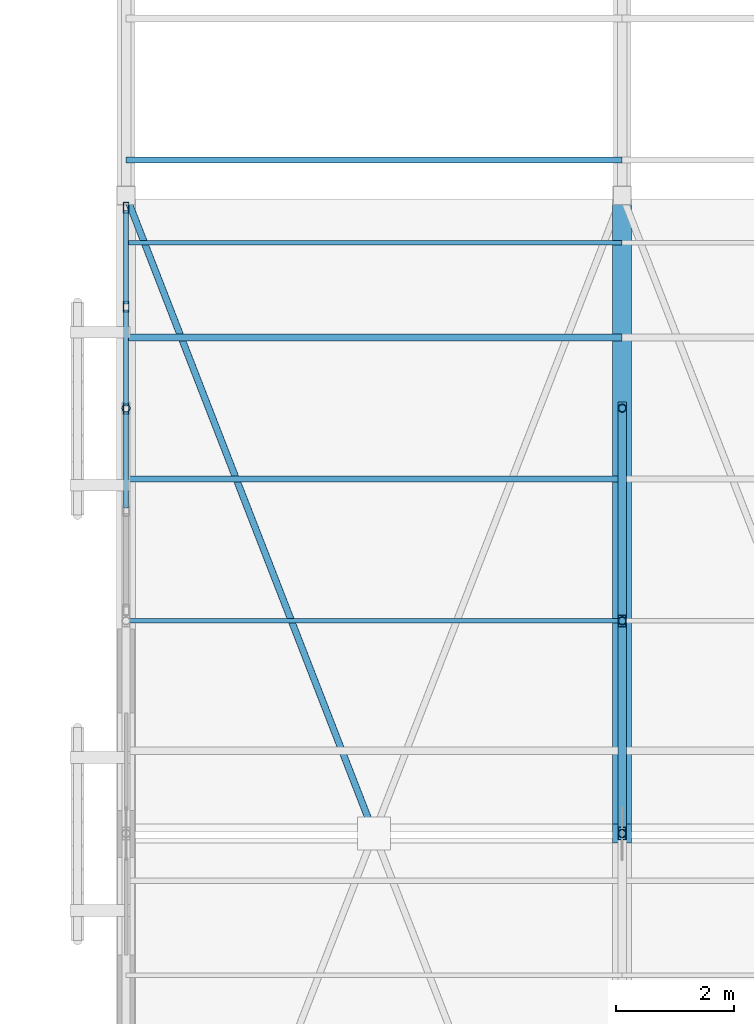
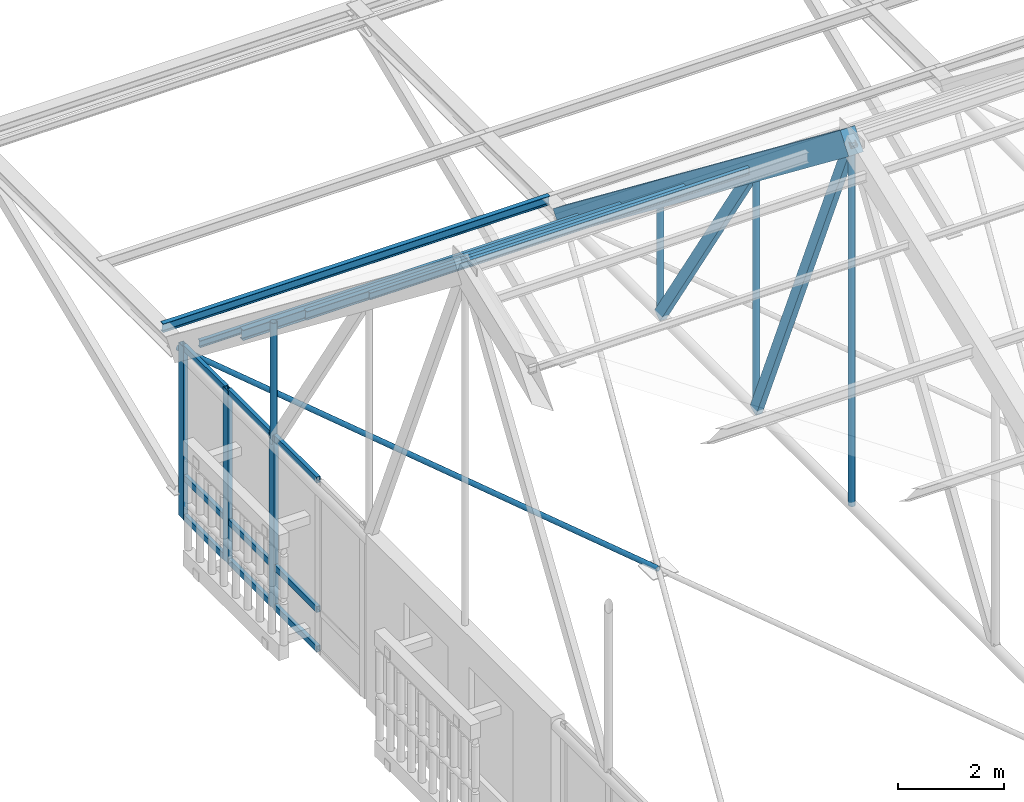
# One storey, part 79 of 217: 25 members, 1 element without a shape of its own.
"""IFC4 building model written with IfcOpenShell, lengths in metres."""

from ifc_helpers import new_model, si_unit, direction, frame, origin, origin_2d, place, context, subcontext, project, spatial, rectangle, hollow_rectangle, hollow_circle, i_section, extrude, material, layer, layer_set, material_profile, profile_set, type_object, element, aggregate, save


model = new_model("IFC4")

# Units and contexts
model_context = context("Model", 3, precision=1e-05, world=origin(), true_north=direction((0.0, 1.0)))
body_context = subcontext(model_context, "Body", "Model", "MODEL_VIEW")
ifc_project = project(units=[si_unit("LENGTHUNIT", "METRE"), si_unit("AREAUNIT", "SQUARE_METRE"), si_unit("VOLUMEUNIT", "CUBIC_METRE"), si_unit("PLANEANGLEUNIT", "RADIAN"), si_unit("MASSUNIT", "GRAM", prefix="KILO")], contexts=[model_context])

# Site, building, storey
site_placement = place(None, origin())
site = spatial("IfcSite", under=ifc_project, at=site_placement, CompositionType="ELEMENT")
building_placement = place(site_placement, origin())
building = spatial("IfcBuilding", under=site, at=building_placement, Name="Mazaris Harbour Polytechnic", CompositionType="ELEMENT")
storey_placement = place(building_placement, frame((0.0, 0.0, 9.60009765625)))
storey = spatial("IfcBuildingStorey", under=building, at=storey_placement, Name="L02", CompositionType="ELEMENT", Elevation=9.60009765625)

# Curtain wall, members
ifc_material_1 = material(Name="Anodised Bronze Aluminium and Low-E Glass", Category="aluminium")
ifc_layer = layer(ifc_material_1, 0.14990234375, Name="Anodised Bronze Aluminium and Low-E Glass")
ifc_layer_set = layer_set([ifc_layer], Name="Anodised Bronze Aluminium and Low-E Glass")
curtain_wall_type = type_object("IfcCurtainWallType", Name="Workshop Clerestory Curtain Wall", PredefinedType="NOTDEFINED", material=ifc_layer_set)
curtain_wall_placement = place(storey_placement, origin())
curtain_wall = element("IfcCurtainWall", 1, at=curtain_wall_placement, inside=storey, type_object=curtain_wall_type, Name="V1 L02 Curtain Wall 34", PredefinedType="NOTDEFINED")
ifc_material_2 = material(Name="Anodised Bronze Steel S355", Category="steel")
ifc_material_profile_1 = material_profile(ifc_material_2, hollow_rectangle(XDim=0.10009765625, YDim=0.179931640625, WallThickness=0.008056640625, at=origin_2d()), Name="RHS 100x180x8.0")
ifc_profile_set_1 = profile_set([ifc_material_profile_1], Name="Anodised Bronze Steel S355")
member_type_1 = type_object("IfcMemberType", Name="Curtain Mullion RHS100x180", PredefinedType="MULLION", material=ifc_profile_set_1)
member_1_placement = place(storey_placement, frame((54.0, 104.389892578125, 0.0), z_axis=(0.0, 0.0, 1.0), x_axis=(-1.0, 0.0, 0.0)))
member_1 = element("IfcMember", 2, at=member_1_placement, type_object=member_type_1, Name="CW-04 mullion 3", PredefinedType="MULLION", context=body_context, shape_type="SweptSolid", body=[
    extrude(hollow_rectangle(XDim=0.10009765625, YDim=0.179931640625, WallThickness=0.008056640625, at=origin_2d()), origin(), (0.0, 0.0, 1.0), 3.9599609375),
])
member_2_placement = place(storey_placement, frame((54.0, 106.116455078125, 0.0), z_axis=(0.0, 0.0, 1.0), x_axis=(-1.0, 0.0, 0.0)))
member_2 = element("IfcMember", 3, at=member_2_placement, type_object=member_type_1, Name="CW-04 mullion 4", PredefinedType="MULLION", context=body_context, shape_type="SweptSolid", body=[
    extrude(hollow_rectangle(XDim=0.10009765625, YDim=0.179931640625, WallThickness=0.008056640625, at=origin_2d()), origin(), (0.0, 0.0, 1.0), 3.9599609375),
])
member_3_placement = place(storey_placement, frame((54.0, 107.79296875, 0.0), z_axis=(0.0, 0.0, 1.0), x_axis=(-1.0, 0.0, 0.0)))
member_3 = element("IfcMember", 4, at=member_3_placement, type_object=member_type_1, Name="CW-04 mullion 5", PredefinedType="MULLION", context=body_context, shape_type="SweptSolid", body=[
    extrude(hollow_rectangle(XDim=0.10009765625, YDim=0.179931640625, WallThickness=0.008056640625, at=origin_2d()), origin(), (0.0, 0.0, 1.0), 3.9599609375),
])
ifc_material_3 = material(Name="Anodised Bronze Steel S355", Category="steel")
ifc_material_profile_2 = material_profile(ifc_material_3, hollow_rectangle(XDim=0.080078125, YDim=0.139892578125, WallThickness=0.00634765625, at=origin_2d()), Name="RHS 80x140x6.3")
ifc_profile_set_2 = profile_set([ifc_material_profile_2], Name="Anodised Bronze Steel S355")
member_type_2 = type_object("IfcMemberType", Name="Curtain Transom RHS80x140", PredefinedType="USERDEFINED", material=ifc_profile_set_2)
member_4_placement = place(storey_placement, frame((54.0, 102.71337890625, 0.039794921875), z_axis=(0.0, 1.0, 0.0), x_axis=(-1.0, 0.0, 0.0)))
member_4 = element("IfcMember", 5, at=member_4_placement, type_object=member_type_2, Name="CW-04 transom 2.1", ObjectType="TRANSOM", PredefinedType="USERDEFINED", context=body_context, shape_type="SweptSolid", body=[
    extrude(hollow_rectangle(XDim=0.080078125, YDim=0.139892578125, WallThickness=0.00634765625, at=origin_2d()), origin(), (0.0, 0.0, 1.0), 1.626708984375),
])
member_5_placement = place(storey_placement, frame((54.0, 102.71337890625, 0.949951171875), z_axis=(0.0, 1.0, 0.0), x_axis=(-1.0, 0.0, 0.0)))
member_5 = element("IfcMember", 6, at=member_5_placement, type_object=member_type_2, Name="CW-04 transom 2.2", ObjectType="TRANSOM", PredefinedType="USERDEFINED", context=body_context, shape_type="SweptSolid", body=[
    extrude(hollow_rectangle(XDim=0.080078125, YDim=0.139892578125, WallThickness=0.00634765625, at=origin_2d()), origin(), (0.0, 0.0, 1.0), 1.626708984375),
])
member_6_placement = place(storey_placement, frame((54.0, 102.71337890625, 3.919921875), z_axis=(0.0, 1.0, 0.0), x_axis=(-1.0, 0.0, 0.0)))
member_6 = element("IfcMember", 7, at=member_6_placement, type_object=member_type_2, Name="CW-04 transom 2.3", ObjectType="TRANSOM", PredefinedType="USERDEFINED", context=body_context, shape_type="SweptSolid", body=[
    extrude(hollow_rectangle(XDim=0.080078125, YDim=0.139892578125, WallThickness=0.00634765625, at=origin_2d()), origin(), (0.0, 0.0, 1.0), 1.626708984375),
])
member_7_placement = place(storey_placement, frame((54.0, 104.43994140625, 0.039794921875), z_axis=(0.0, 1.0, 0.0), x_axis=(-1.0, 0.0, 0.0)))
member_7 = element("IfcMember", 8, at=member_7_placement, type_object=member_type_2, Name="CW-04 transom 3.1", ObjectType="TRANSOM", PredefinedType="USERDEFINED", context=body_context, shape_type="SweptSolid", body=[
    extrude(hollow_rectangle(XDim=0.080078125, YDim=0.139892578125, WallThickness=0.00634765625, at=origin_2d()), origin(), (0.0, 0.0, 1.0), 1.62646484375),
])
member_8_placement = place(storey_placement, frame((54.0, 104.43994140625, 0.949951171875), z_axis=(0.0, 1.0, 0.0), x_axis=(-1.0, 0.0, 0.0)))
member_8 = element("IfcMember", 9, at=member_8_placement, type_object=member_type_2, Name="CW-04 transom 3.2", ObjectType="TRANSOM", PredefinedType="USERDEFINED", context=body_context, shape_type="SweptSolid", body=[
    extrude(hollow_rectangle(XDim=0.080078125, YDim=0.139892578125, WallThickness=0.00634765625, at=origin_2d()), origin(), (0.0, 0.0, 1.0), 1.62646484375),
])
member_9_placement = place(storey_placement, frame((54.0, 104.43994140625, 3.919921875), z_axis=(0.0, 1.0, 0.0), x_axis=(-1.0, 0.0, 0.0)))
member_9 = element("IfcMember", 10, at=member_9_placement, type_object=member_type_2, Name="CW-04 transom 3.3", ObjectType="TRANSOM", PredefinedType="USERDEFINED", context=body_context, shape_type="SweptSolid", body=[
    extrude(hollow_rectangle(XDim=0.080078125, YDim=0.139892578125, WallThickness=0.00634765625, at=origin_2d()), origin(), (0.0, 0.0, 1.0), 1.62646484375),
])
member_10_placement = place(storey_placement, frame((54.0, 106.16650390625, 0.039794921875), z_axis=(0.0, 1.0, 0.0), x_axis=(-1.0, 0.0, 0.0)))
member_10 = element("IfcMember", 11, at=member_10_placement, type_object=member_type_2, Name="CW-04 transom 4.1", ObjectType="TRANSOM", PredefinedType="USERDEFINED", context=body_context, shape_type="SweptSolid", body=[
    extrude(hollow_rectangle(XDim=0.080078125, YDim=0.139892578125, WallThickness=0.00634765625, at=origin_2d()), origin(), (0.0, 0.0, 1.0), 1.576416015625),
])
member_11_placement = place(storey_placement, frame((54.0, 106.16650390625, 0.949951171875), z_axis=(0.0, 1.0, 0.0), x_axis=(-1.0, 0.0, 0.0)))
member_11 = element("IfcMember", 12, at=member_11_placement, type_object=member_type_2, Name="CW-04 transom 4.2", ObjectType="TRANSOM", PredefinedType="USERDEFINED", context=body_context, shape_type="SweptSolid", body=[
    extrude(hollow_rectangle(XDim=0.080078125, YDim=0.139892578125, WallThickness=0.00634765625, at=origin_2d()), origin(), (0.0, 0.0, 1.0), 1.576416015625),
])
member_12_placement = place(storey_placement, frame((54.0, 106.16650390625, 3.919921875), z_axis=(0.0, 1.0, 0.0), x_axis=(-1.0, 0.0, 0.0)))
member_12 = element("IfcMember", 13, at=member_12_placement, type_object=member_type_2, Name="CW-04 transom 4.3", ObjectType="TRANSOM", PredefinedType="USERDEFINED", context=body_context, shape_type="SweptSolid", body=[
    extrude(hollow_rectangle(XDim=0.080078125, YDim=0.139892578125, WallThickness=0.00634765625, at=origin_2d()), origin(), (0.0, 0.0, 1.0), 1.576416015625),
])
aggregate(curtain_wall, [member_1, member_2, member_3, member_4, member_5, member_6, member_7, member_8, member_9, member_10, member_11, member_12])

# Members
ifc_material_4 = material(Name="Glulam GL32h", Category="wood")
ifc_material_profile_3 = material_profile(ifc_material_4, rectangle(XDim=0.320068359375, YDim=0.52001953125, at=origin_2d()), Name="RECT320x520")
ifc_profile_set_3 = profile_set([ifc_material_profile_3], Name="Glulam GL32h")
member_type_3 = type_object("IfcMemberType", Name="Glulam Top Chord 320x520", PredefinedType="CHORD", material=ifc_profile_set_3)
member_13_placement = place(storey_placement, frame((62.39990234375, 97.199951171875, 12.099853515625), z_axis=(0.0, 0.791130406401, -0.611647512926), x_axis=(-1.0, 0.0, 0.0)))
element("IfcMember", 14, at=member_13_placement, inside=storey, type_object=member_type_3, Name="Truss 2 North Glulam Top Chord", PredefinedType="CHORD", context=body_context, shape_type="SweptSolid", body=[
    extrude(rectangle(XDim=0.320068359375, YDim=0.52001953125, at=origin_2d()), origin(), (0.0, 0.0, 1.0), 13.6513671875),
])
ifc_material_5 = material(Name="Steel S355", Category="steel")
ifc_material_profile_4 = material_profile(ifc_material_5, i_section(OverallWidth=0.08203125, OverallDepth=0.159912109375, WebThickness=0.0048828125, FlangeThickness=0.00732421875, FilletRadius=0.009033203125, at=origin_2d()), Name="IPE 160")
ifc_profile_set_4 = profile_set([ifc_material_profile_4], Name="Steel S355")
member_type_4 = type_object("IfcMemberType", Name="Steel Purlin IPE160", PredefinedType="PURLIN", material=ifc_profile_set_4)
for number, where, z_axis, x_axis, name in (
    (15, (54.0, 100.800048828125, 9.308837890625), (1.0, 0.0, 0.0), (0.0, 1.0, 0.0), "V1 Roof Purlin N-15"),
    (16, (54.0, 107.199951171875, 4.3310546875), (1.0, 0.0, 0.0), (0.0, 1.0, 0.0), "V1 Roof Purlin N-18"),
):
    element("IfcMember", number, at=place(storey_placement, frame(where, z_axis=z_axis, x_axis=x_axis)), inside=storey, type_object=member_type_4, Name=name, PredefinedType="PURLIN", context=body_context, shape_type="SweptSolid", body=[
        extrude(i_section(OverallWidth=0.08203125, OverallDepth=0.159912109375, WebThickness=0.0048828125, FlangeThickness=0.00732421875, FilletRadius=0.009033203125, at=origin_2d()), origin(), (0.0, 0.0, 1.0), 8.39990234375),
    ])
ifc_material_6 = material(Name="Steel S355", Category="steel")
ifc_material_profile_5 = material_profile(ifc_material_6, i_section(OverallWidth=0.10009765625, OverallDepth=0.199951171875, WebThickness=0.005615234375, FlangeThickness=0.008544921875, FilletRadius=0.011962890625, at=origin_2d()), Name="IPE 200")
ifc_profile_set_5 = profile_set([ifc_material_profile_5], Name="Steel S355")
member_type_5 = type_object("IfcMemberType", Name="Steel Purlin IPE200", PredefinedType="PURLIN", material=ifc_profile_set_5)
member_14_placement = place(storey_placement, frame((54.0, 103.199951171875, 7.4130859375), z_axis=(1.0, 0.0, 0.0), x_axis=(0.0, 1.0, 0.0)))
element("IfcMember", 17, at=member_14_placement, inside=storey, type_object=member_type_5, Name="V1 Roof Purlin N-16", PredefinedType="PURLIN", context=body_context, shape_type="SweptSolid", body=[
    extrude(i_section(OverallWidth=0.10009765625, OverallDepth=0.199951171875, WebThickness=0.005615234375, FlangeThickness=0.008544921875, FilletRadius=0.011962890625, at=origin_2d()), origin(), (0.0, 0.0, 1.0), 8.39990234375),
])
ifc_material_7 = material(Name="Steel S355", Category="steel")
ifc_material_profile_6 = material_profile(ifc_material_7, i_section(OverallWidth=0.10009765625, OverallDepth=0.199951171875, WebThickness=0.005615234375, FlangeThickness=0.008544921875, FilletRadius=0.011962890625, at=origin_2d()), Name="IPE 200")
ifc_profile_set_6 = profile_set([ifc_material_profile_6], Name="Steel S355")
member_type_6 = type_object("IfcMemberType", Name="Steel Purlin IPE200 Exterior", PredefinedType="PURLIN", material=ifc_profile_set_6)
member_15_placement = place(storey_placement, frame((54.0, 108.60009765625, 3.85498046875), z_axis=(1.0, 0.0, 0.0), x_axis=(0.0, 1.0, 0.0)))
element("IfcMember", 18, at=member_15_placement, inside=storey, type_object=member_type_6, Name="V1 Roof Purlin N-19", PredefinedType="PURLIN", context=body_context, shape_type="SweptSolid", body=[
    extrude(i_section(OverallWidth=0.10009765625, OverallDepth=0.199951171875, WebThickness=0.005615234375, FlangeThickness=0.008544921875, FilletRadius=0.011962890625, at=origin_2d()), origin(), (0.0, 0.0, 1.0), 8.39990234375),
])
ifc_material_8 = material(Name="Steel S355", Category="steel")
ifc_material_profile_7 = material_profile(ifc_material_8, i_section(OverallWidth=0.1201171875, OverallDepth=0.239990234375, WebThickness=0.006103515625, FlangeThickness=0.009765625, FilletRadius=0.014892578125, at=origin_2d()), Name="IPE 240")
ifc_profile_set_7 = profile_set([ifc_material_profile_7], Name="Steel S355")
member_type_7 = type_object("IfcMemberType", Name="Steel Purlin IPE240", PredefinedType="PURLIN", material=ifc_profile_set_7)
member_16_placement = place(storey_placement, frame((54.0, 105.60009765625, 5.5166015625), z_axis=(1.0, 0.0, 0.0), x_axis=(0.0, 1.0, 0.0)))
element("IfcMember", 19, at=member_16_placement, inside=storey, type_object=member_type_7, Name="V1 Roof Purlin N-17", PredefinedType="PURLIN", context=body_context, shape_type="SweptSolid", body=[
    extrude(i_section(OverallWidth=0.1201171875, OverallDepth=0.239990234375, WebThickness=0.006103515625, FlangeThickness=0.009765625, FilletRadius=0.014892578125, at=origin_2d()), origin(), (0.0, 0.0, 1.0), 8.39990234375),
])
ifc_material_9 = material(Name="Steel S355", Category="steel")
ifc_material_profile_8 = material_profile(ifc_material_9, hollow_rectangle(XDim=0.139892578125, YDim=0.239990234375, WallThickness=0.010009765625, at=origin_2d()), Name="RHS 140x240x10.0")
ifc_profile_set_8 = profile_set([ifc_material_profile_8], Name="Steel S355")
member_type_8 = type_object("IfcMemberType", Name="Steel Truss Diagonal RHS140x240", PredefinedType="BRACE", material=ifc_profile_set_8)
member_17_placement = place(storey_placement, frame((62.39990234375, 100.800048828125, 3.75), z_axis=(0.0, -0.395924210908, 0.918283191187), x_axis=(1.0, 0.0, 0.0)))
element("IfcMember", 20, at=member_17_placement, inside=storey, type_object=member_type_8, Name="Truss 2 Web Diagonal N1", PredefinedType="BRACE", context=body_context, shape_type="SweptSolid", body=[
    extrude(hollow_rectangle(XDim=0.139892578125, YDim=0.239990234375, WallThickness=0.010009765625, at=origin_2d()), origin(), (0.0, 0.0, 1.0), 9.093017578125),
])
member_18_placement = place(storey_placement, frame((62.39990234375, 104.39990234375, 3.75), z_axis=(0.0, -0.543028315091, 0.839714385377), x_axis=(1.0, 0.0, 0.0)))
element("IfcMember", 21, at=member_18_placement, inside=storey, type_object=member_type_8, Name="Truss 2 Web Diagonal N2", PredefinedType="BRACE", context=body_context, shape_type="SweptSolid", body=[
    extrude(hollow_rectangle(XDim=0.139892578125, YDim=0.239990234375, WallThickness=0.010009765625, at=origin_2d()), origin(), (0.0, 0.0, 1.0), 6.629150390625),
])
ifc_material_10 = material(Name="Steel S355", Category="steel")
ifc_material_profile_9 = material_profile(ifc_material_10, hollow_circle(Radius=0.06982421875, WallThickness=0.008056640625, at=origin_2d()), Name="CHS 139.7x8.0")
ifc_profile_set_9 = profile_set([ifc_material_profile_9], Name="Steel S355")
member_type_9 = type_object("IfcMemberType", Name="Steel Truss Strut CHS139", PredefinedType="STRUT", material=ifc_profile_set_9)
member_19_placement = place(storey_placement, frame((54.0, 104.39990234375, 3.75), z_axis=(0.0, 0.0, 1.0), x_axis=(1.0, 0.0, 0.0)))
element("IfcMember", 22, at=member_19_placement, inside=storey, type_object=member_type_9, Name="Truss 1 Web Post N2", PredefinedType="STRUT", context=body_context, shape_type="SweptSolid", body=[
    extrude(hollow_circle(Radius=0.06982421875, WallThickness=0.008056640625, at=origin_2d()), origin(), (0.0, 0.0, 1.0), 2.783203125),
])
member_20_placement = place(storey_placement, frame((62.39990234375, 97.199951171875, 3.75), z_axis=(0.0, 0.0, 1.0), x_axis=(1.0, 0.0, 0.0)))
element("IfcMember", 23, at=member_20_placement, inside=storey, type_object=member_type_9, Name="Truss 2 Web Post S4", PredefinedType="STRUT", context=body_context, shape_type="SweptSolid", body=[
    extrude(hollow_circle(Radius=0.06982421875, WallThickness=0.008056640625, at=origin_2d()), origin(), (0.0, 0.0, 1.0), 8.349853515625),
])
member_21_placement = place(storey_placement, frame((62.39990234375, 100.800048828125, 3.75), z_axis=(0.0, 0.0, 1.0), x_axis=(1.0, 0.0, 0.0)))
element("IfcMember", 24, at=member_21_placement, inside=storey, type_object=member_type_9, Name="Truss 2 Web Post N1", PredefinedType="STRUT", context=body_context, shape_type="SweptSolid", body=[
    extrude(hollow_circle(Radius=0.06982421875, WallThickness=0.008056640625, at=origin_2d()), origin(), (0.0, 0.0, 1.0), 5.566650390625),
])
member_22_placement = place(storey_placement, frame((62.39990234375, 104.39990234375, 3.75), z_axis=(0.0, 0.0, 1.0), x_axis=(1.0, 0.0, 0.0)))
element("IfcMember", 25, at=member_22_placement, inside=storey, type_object=member_type_9, Name="Truss 2 Web Post N2", PredefinedType="STRUT", context=body_context, shape_type="SweptSolid", body=[
    extrude(hollow_circle(Radius=0.06982421875, WallThickness=0.008056640625, at=origin_2d()), origin(), (0.0, 0.0, 1.0), 2.783203125),
])
ifc_material_11 = material(Name="Steel S355", Category="steel")
ifc_material_profile_10 = material_profile(ifc_material_11, hollow_circle(Radius=0.05712890625, WallThickness=0.00634765625, at=origin_2d()), Name="CHS 114.3x6.3")
ifc_profile_set_10 = profile_set([ifc_material_profile_10], Name="Steel S355")
member_type_10 = type_object("IfcMemberType", Name="Steel Wind Brace CHS114", PredefinedType="BRACE", material=ifc_profile_set_10)
member_23_placement = place(storey_placement, frame((54.0, 108.0, 3.75), z_axis=(0.3624411776, -0.932006648463, 0.0), x_axis=(0.932006648463, 0.3624411776, 0.0)))
element("IfcMember", 26, at=member_23_placement, inside=storey, type_object=member_type_10, Name="V1 Split Roof Wind Brace 1B1", PredefinedType="BRACE", context=body_context, shape_type="SweptSolid", body=[
    extrude(hollow_circle(Radius=0.05712890625, WallThickness=0.00634765625, at=origin_2d()), origin(), (0.0, 0.0, 1.0), 11.587890625),
])

save(model, "model.ifc")
